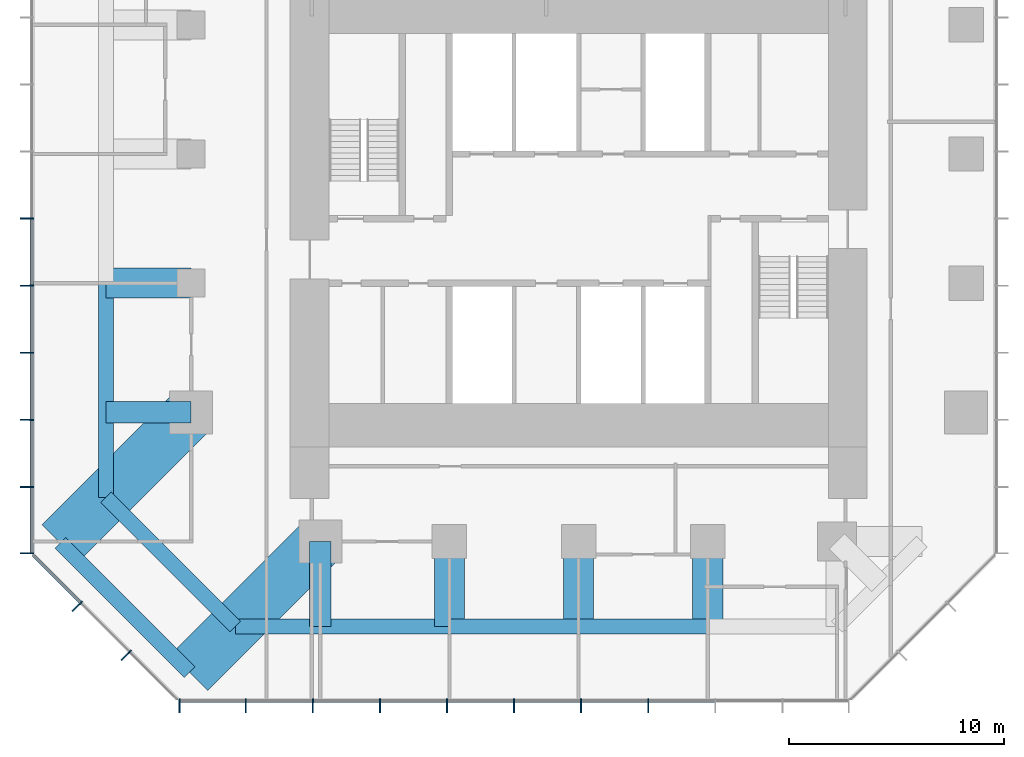
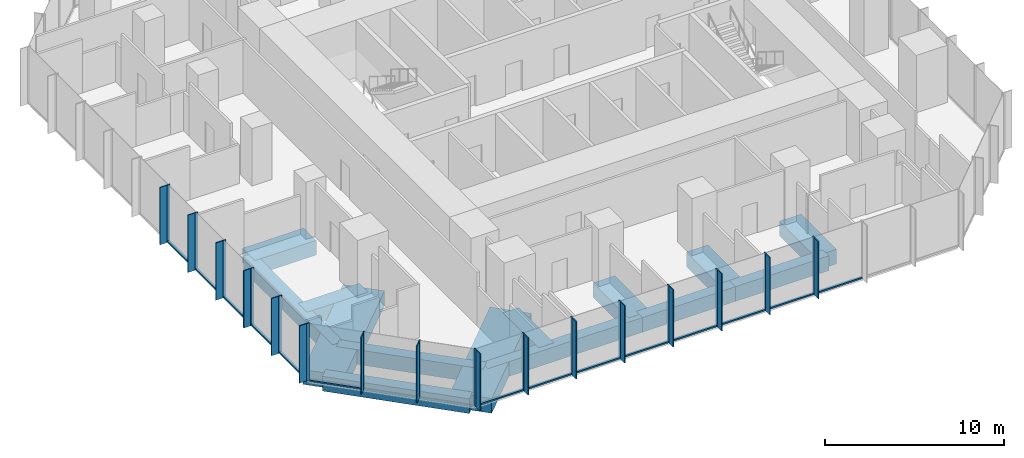
# One storey, part 2 of 12: 46 members, 14 beams, 3 elements without a shape of their own.
"""IFC4 building model written with IfcOpenShell, lengths in metres."""

from ifc_helpers import new_model, si_unit, direction, frame, origin, origin_2d, place, context, subcontext, project, spatial, rectangle, extrude, material, layer, layer_set, material_profile, profile_set, type_object, element, aggregate, save


model = new_model("IFC4")

# Units and contexts
model_context = context("Model", 3, precision=1e-05, world=origin(), true_north=direction((0.0, 1.0)))
body_context = subcontext(model_context, "Body", "Model", "MODEL_VIEW")
ifc_project = project(units=[si_unit("LENGTHUNIT", "METRE"), si_unit("AREAUNIT", "SQUARE_METRE"), si_unit("VOLUMEUNIT", "CUBIC_METRE"), si_unit("PLANEANGLEUNIT", "RADIAN"), si_unit("MASSUNIT", "GRAM", prefix="KILO")], contexts=[model_context])

# Site, building, storey
site_placement = place(None, origin())
site = spatial("IfcSite", under=ifc_project, at=site_placement, CompositionType="ELEMENT")
building_placement = place(site_placement, origin())
building = spatial("IfcBuilding", under=site, at=building_placement, Name="Highveld Stack Headquarters", CompositionType="ELEMENT")
storey_placement = place(building_placement, frame((0.0, 0.0, 231.800048828125)))
storey = spatial("IfcBuildingStorey", under=building, at=storey_placement, Name="L57", CompositionType="ELEMENT", Elevation=231.800048828125)

# Beams
ifc_material_1 = material(Name="Concrete C60/75", Category="concrete")
ifc_material_profile_1 = material_profile(ifc_material_1, rectangle(XDim=1.0, YDim=1.0, at=origin_2d()), Name="RC 1000x1000")
ifc_profile_set_1 = profile_set([ifc_material_profile_1], Name="Concrete C60/75")
beam_type_1 = type_object("IfcBeamType", Name="CANTILEVER RIB RC 1000x1000", PredefinedType="USERDEFINED", material=ifc_profile_set_1)
for number, where, z_axis, x_axis, name in (
    (1, (-12.0, -6.0, -0.75), (-1.0, 0.0, 0.0), (0.0, -1.0, 0.0), "Cantilever rib 4/D L57"),
    (2, (-6.0, -12.0, -0.75), (0.0, -1.0, 0.0), (1.0, 0.0, 0.0), "Cantilever rib 5/C L57"),
):
    element("IfcBeam", number, at=place(storey_placement, frame(where, z_axis=z_axis, x_axis=x_axis)), inside=storey, type_object=beam_type_1, Name=name, ObjectType="CANTILEVER RIB", PredefinedType="USERDEFINED", context=body_context, shape_type="SweptSolid", body=[
        extrude(rectangle(XDim=1.0, YDim=1.0, at=origin_2d()), origin(), (0.0, 0.0, 1.0), 3.949951171875),
    ])
ifc_material_2 = material(Name="Concrete C60/75", Category="concrete")
ifc_material_profile_2 = material_profile(ifc_material_2, rectangle(XDim=1.39990234375, YDim=1.0, at=origin_2d()), Name="RC 1400x1000")
ifc_profile_set_2 = profile_set([ifc_material_profile_2], Name="Concrete C60/75")
beam_type_2 = type_object("IfcBeamType", Name="CANTILEVER RIB RC 1400x1000", PredefinedType="USERDEFINED", material=ifc_profile_set_2)
for number, where, z_axis, x_axis, name in (
    (3, (-12.0, 0.0, -0.75), (-1.0, 0.0, 0.0), (0.0, -1.0, 0.0), "Cantilever rib 4/E L57"),
    (4, (0.0, -12.0, -0.75), (0.0, -1.0, 0.0), (1.0, 0.0, 0.0), "Cantilever rib 6/C L57"),
    (5, (6.0, -12.0, -0.75), (0.0, -1.0, 0.0), (1.0, 0.0, 0.0), "Cantilever rib 7/C L57"),
    (6, (12.0, -12.0, -0.75), (0.0, -1.0, 0.0), (1.0, 0.0, 0.0), "Cantilever rib 8/C L57"),
):
    element("IfcBeam", number, at=place(storey_placement, frame(where, z_axis=z_axis, x_axis=x_axis)), inside=storey, type_object=beam_type_2, Name=name, ObjectType="CANTILEVER RIB", PredefinedType="USERDEFINED", context=body_context, shape_type="SweptSolid", body=[
        extrude(rectangle(XDim=1.39990234375, YDim=1.0, at=origin_2d()), origin(), (0.0, 0.0, 1.0), 3.949951171875),
    ])
ifc_material_3 = material(Name="Concrete C60/75", Category="concrete")
ifc_material_profile_3 = material_profile(ifc_material_3, rectangle(XDim=2.39990234375, YDim=1.0, at=origin_2d()), Name="RC 2400x1000")
ifc_profile_set_3 = profile_set([ifc_material_profile_3], Name="Concrete C60/75")
beam_type_3 = type_object("IfcBeamType", Name="CANTILEVER RIB RC 2400x1000", PredefinedType="USERDEFINED", material=ifc_profile_set_3)
for number, where, z_axis, x_axis, name in (
    (7, (-12.0, -6.0, -0.75), (-0.707106781187, -0.707106781187, 0.0), (0.707106781187, -0.707106781187, 0.0), "Cantilever rib 4/D L57"),
    (8, (-6.0, -12.0, -0.75), (-0.707106781187, -0.707106781187, 0.0), (0.707106781187, -0.707106781187, 0.0), "Cantilever rib 5/C L57"),
):
    element("IfcBeam", number, at=place(storey_placement, frame(where, z_axis=z_axis, x_axis=x_axis)), inside=storey, type_object=beam_type_3, Name=name, ObjectType="CANTILEVER RIB", PredefinedType="USERDEFINED", context=body_context, shape_type="SweptSolid", body=[
        extrude(rectangle(XDim=2.39990234375, YDim=1.0, at=origin_2d()), origin(), (0.0, 0.0, 1.0), 8.585693359375),
    ])

# Curtain wall, members
ifc_material_4 = material(Name="Aluminium bronze anodised", Category="aluminium")
ifc_layer_1 = layer(ifc_material_4, 0.199951171875)
ifc_layer_set_1 = layer_set([ifc_layer_1], Name="Aluminium bronze anodised")
curtain_wall_type_1 = type_object("IfcCurtainWallType", Name="CW1 TOWER UNITISED CURTAIN WALL", PredefinedType="NOTDEFINED", material=ifc_layer_set_1)
curtain_wall_1_placement = place(storey_placement, origin())
curtain_wall_1 = element("IfcCurtainWall", 9, at=curtain_wall_1_placement, inside=storey, type_object=curtain_wall_type_1, Name="Curtain wall CW1 L57 S", PredefinedType="NOTDEFINED")
ifc_material_5 = material(Name="Aluminium bronze anodised", Category="aluminium")
ifc_material_profile_4 = material_profile(ifc_material_5, rectangle(XDim=0.449951171875, YDim=0.06005859375, at=origin_2d()), Name="FIN 450x60")
ifc_profile_set_4 = profile_set([ifc_material_profile_4], Name="Aluminium bronze anodised")
member_type_1 = type_object("IfcMemberType", Name="CW1 BRONZE FIN 450x60", PredefinedType="USERDEFINED", material=ifc_profile_set_4)
member_1_placement = place(storey_placement, frame((-12.54736328125, -19.72509765625, 0.0), z_axis=(0.0, 0.0, 1.0), x_axis=(0.0, 1.0, 0.0)))
member_1 = element("IfcMember", 10, at=member_1_placement, type_object=member_type_1, Name="CW1 fin L57 1", ObjectType="FIN", PredefinedType="USERDEFINED", context=body_context, shape_type="SweptSolid", body=[
    extrude(rectangle(XDim=0.449951171875, YDim=0.06005859375, at=origin_2d()), origin(), (0.0, 0.0, 1.0), 3.89990234375),
])
member_2_placement = place(storey_placement, frame((-9.4638671875, -19.72509765625, 0.0), z_axis=(0.0, 0.0, 1.0), x_axis=(0.0, 1.0, 0.0)))
member_2 = element("IfcMember", 11, at=member_2_placement, type_object=member_type_1, Name="CW1 fin L57 2", ObjectType="FIN", PredefinedType="USERDEFINED", context=body_context, shape_type="SweptSolid", body=[
    extrude(rectangle(XDim=0.449951171875, YDim=0.06005859375, at=origin_2d()), origin(), (0.0, 0.0, 1.0), 3.89990234375),
])
member_3_placement = place(storey_placement, frame((-6.347900390625, -19.72509765625, 0.0), z_axis=(0.0, 0.0, 1.0), x_axis=(0.0, 1.0, 0.0)))
member_3 = element("IfcMember", 12, at=member_3_placement, type_object=member_type_1, Name="CW1 fin L57 3", ObjectType="FIN", PredefinedType="USERDEFINED", context=body_context, shape_type="SweptSolid", body=[
    extrude(rectangle(XDim=0.449951171875, YDim=0.06005859375, at=origin_2d()), origin(), (0.0, 0.0, 1.0), 3.89990234375),
])
member_4_placement = place(storey_placement, frame((-3.23193359375, -19.72509765625, 0.0), z_axis=(0.0, 0.0, 1.0), x_axis=(0.0, 1.0, 0.0)))
member_4 = element("IfcMember", 13, at=member_4_placement, type_object=member_type_1, Name="CW1 fin L57 4", ObjectType="FIN", PredefinedType="USERDEFINED", context=body_context, shape_type="SweptSolid", body=[
    extrude(rectangle(XDim=0.449951171875, YDim=0.06005859375, at=origin_2d()), origin(), (0.0, 0.0, 1.0), 3.89990234375),
])
member_5_placement = place(storey_placement, frame((-0.115966796875, -19.72509765625, 0.0), z_axis=(0.0, 0.0, 1.0), x_axis=(0.0, 1.0, 0.0)))
member_5 = element("IfcMember", 14, at=member_5_placement, type_object=member_type_1, Name="CW1 fin L57 5", ObjectType="FIN", PredefinedType="USERDEFINED", context=body_context, shape_type="SweptSolid", body=[
    extrude(rectangle(XDim=0.449951171875, YDim=0.06005859375, at=origin_2d()), origin(), (0.0, 0.0, 1.0), 3.89990234375),
])
member_6_placement = place(storey_placement, frame((3.0, -19.72509765625, 0.0), z_axis=(0.0, 0.0, 1.0), x_axis=(0.0, 1.0, 0.0)))
member_6 = element("IfcMember", 15, at=member_6_placement, type_object=member_type_1, Name="CW1 fin L57 6", ObjectType="FIN", PredefinedType="USERDEFINED", context=body_context, shape_type="SweptSolid", body=[
    extrude(rectangle(XDim=0.449951171875, YDim=0.06005859375, at=origin_2d()), origin(), (0.0, 0.0, 1.0), 3.89990234375),
])
member_7_placement = place(storey_placement, frame((6.115966796875, -19.72509765625, 0.0), z_axis=(0.0, 0.0, 1.0), x_axis=(0.0, 1.0, 0.0)))
member_7 = element("IfcMember", 16, at=member_7_placement, type_object=member_type_1, Name="CW1 fin L57 7", ObjectType="FIN", PredefinedType="USERDEFINED", context=body_context, shape_type="SweptSolid", body=[
    extrude(rectangle(XDim=0.449951171875, YDim=0.06005859375, at=origin_2d()), origin(), (0.0, 0.0, 1.0), 3.89990234375),
])
member_8_placement = place(storey_placement, frame((9.23193359375, -19.72509765625, 0.0), z_axis=(0.0, 0.0, 1.0), x_axis=(0.0, 1.0, 0.0)))
member_8 = element("IfcMember", 17, at=member_8_placement, type_object=member_type_1, Name="CW1 fin L57 8", ObjectType="FIN", PredefinedType="USERDEFINED", context=body_context, shape_type="SweptSolid", body=[
    extrude(rectangle(XDim=0.449951171875, YDim=0.06005859375, at=origin_2d()), origin(), (0.0, 0.0, 1.0), 3.89990234375),
])

curtain_wall_2_placement = place(storey_placement, origin())
curtain_wall_2 = element("IfcCurtainWall", 18, at=curtain_wall_2_placement, inside=storey, type_object=curtain_wall_type_1, Name="Curtain wall CW1 L57 W", PredefinedType="NOTDEFINED")
member_9_placement = place(storey_placement, frame((-19.72509765625, 3.0, 0.0), z_axis=(0.0, 0.0, 1.0), x_axis=(1.0, 0.0, 0.0)))
member_9 = element("IfcMember", 19, at=member_9_placement, type_object=member_type_1, Name="CW1 fin L57 6", ObjectType="FIN", PredefinedType="USERDEFINED", context=body_context, shape_type="SweptSolid", body=[
    extrude(rectangle(XDim=0.449951171875, YDim=0.06005859375, at=origin_2d()), origin(), (0.0, 0.0, 1.0), 3.89990234375),
])
member_10_placement = place(storey_placement, frame((-19.72509765625, -0.115966796875, 0.0), z_axis=(0.0, 0.0, 1.0), x_axis=(1.0, 0.0, 0.0)))
member_10 = element("IfcMember", 20, at=member_10_placement, type_object=member_type_1, Name="CW1 fin L57 7", ObjectType="FIN", PredefinedType="USERDEFINED", context=body_context, shape_type="SweptSolid", body=[
    extrude(rectangle(XDim=0.449951171875, YDim=0.06005859375, at=origin_2d()), origin(), (0.0, 0.0, 1.0), 3.89990234375),
])
member_11_placement = place(storey_placement, frame((-19.72509765625, -3.23193359375, 0.0), z_axis=(0.0, 0.0, 1.0), x_axis=(1.0, 0.0, 0.0)))
member_11 = element("IfcMember", 21, at=member_11_placement, type_object=member_type_1, Name="CW1 fin L57 8", ObjectType="FIN", PredefinedType="USERDEFINED", context=body_context, shape_type="SweptSolid", body=[
    extrude(rectangle(XDim=0.449951171875, YDim=0.06005859375, at=origin_2d()), origin(), (0.0, 0.0, 1.0), 3.89990234375),
])
member_12_placement = place(storey_placement, frame((-19.72509765625, -6.347900390625, 0.0), z_axis=(0.0, 0.0, 1.0), x_axis=(1.0, 0.0, 0.0)))
member_12 = element("IfcMember", 22, at=member_12_placement, type_object=member_type_1, Name="CW1 fin L57 9", ObjectType="FIN", PredefinedType="USERDEFINED", context=body_context, shape_type="SweptSolid", body=[
    extrude(rectangle(XDim=0.449951171875, YDim=0.06005859375, at=origin_2d()), origin(), (0.0, 0.0, 1.0), 3.89990234375),
])
member_13_placement = place(storey_placement, frame((-19.72509765625, -9.4638671875, 0.0), z_axis=(0.0, 0.0, 1.0), x_axis=(1.0, 0.0, 0.0)))
member_13 = element("IfcMember", 23, at=member_13_placement, type_object=member_type_1, Name="CW1 fin L57 10", ObjectType="FIN", PredefinedType="USERDEFINED", context=body_context, shape_type="SweptSolid", body=[
    extrude(rectangle(XDim=0.449951171875, YDim=0.06005859375, at=origin_2d()), origin(), (0.0, 0.0, 1.0), 3.89990234375),
])
member_14_placement = place(storey_placement, frame((-19.72509765625, -12.54736328125, 0.0), z_axis=(0.0, 0.0, 1.0), x_axis=(1.0, 0.0, 0.0)))
member_14 = element("IfcMember", 24, at=member_14_placement, type_object=member_type_1, Name="CW1 fin L57 11", ObjectType="FIN", PredefinedType="USERDEFINED", context=body_context, shape_type="SweptSolid", body=[
    extrude(rectangle(XDim=0.449951171875, YDim=0.06005859375, at=origin_2d()), origin(), (0.0, 0.0, 1.0), 3.89990234375),
])

# Member
ifc_material_6 = material(Name="Aluminium bronze anodised", Category="aluminium")
ifc_material_profile_5 = material_profile(ifc_material_6, rectangle(XDim=0.199951171875, YDim=0.06494140625, at=origin_2d()), Name="CW1 MULLION 65x200")
ifc_profile_set_5 = profile_set([ifc_material_profile_5], Name="Aluminium bronze anodised")
member_type_2 = type_object("IfcMemberType", Name="CW1 MULLION 65x200", PredefinedType="MULLION", material=ifc_profile_set_5)
member_15_placement = place(storey_placement, frame((-12.54736328125, -19.39990234375, 0.0), z_axis=(0.0, 0.0, 1.0), x_axis=(0.0, 1.0, 0.0)))
member_15 = element("IfcMember", 25, at=member_15_placement, type_object=member_type_2, Name="CW1 mullion L57 1", PredefinedType="MULLION", context=body_context, shape_type="SweptSolid", body=[
    extrude(rectangle(XDim=0.199951171875, YDim=0.06494140625, at=origin_2d()), origin(), (0.0, 0.0, 1.0), 3.89990234375),
])

member_16_placement = place(storey_placement, frame((-9.4638671875, -19.39990234375, 0.0), z_axis=(0.0, 0.0, 1.0), x_axis=(0.0, 1.0, 0.0)))
member_16 = element("IfcMember", 26, at=member_16_placement, type_object=member_type_2, Name="CW1 mullion L57 2", PredefinedType="MULLION", context=body_context, shape_type="SweptSolid", body=[
    extrude(rectangle(XDim=0.199951171875, YDim=0.06494140625, at=origin_2d()), origin(), (0.0, 0.0, 1.0), 3.89990234375),
])

member_17_placement = place(storey_placement, frame((-6.347900390625, -19.39990234375, 0.0), z_axis=(0.0, 0.0, 1.0), x_axis=(0.0, 1.0, 0.0)))
member_17 = element("IfcMember", 27, at=member_17_placement, type_object=member_type_2, Name="CW1 mullion L57 3", PredefinedType="MULLION", context=body_context, shape_type="SweptSolid", body=[
    extrude(rectangle(XDim=0.199951171875, YDim=0.06494140625, at=origin_2d()), origin(), (0.0, 0.0, 1.0), 3.89990234375),
])

member_18_placement = place(storey_placement, frame((-3.23193359375, -19.39990234375, 0.0), z_axis=(0.0, 0.0, 1.0), x_axis=(0.0, 1.0, 0.0)))
member_18 = element("IfcMember", 28, at=member_18_placement, type_object=member_type_2, Name="CW1 mullion L57 4", PredefinedType="MULLION", context=body_context, shape_type="SweptSolid", body=[
    extrude(rectangle(XDim=0.199951171875, YDim=0.06494140625, at=origin_2d()), origin(), (0.0, 0.0, 1.0), 3.89990234375),
])

member_19_placement = place(storey_placement, frame((-0.115966796875, -19.39990234375, 0.0), z_axis=(0.0, 0.0, 1.0), x_axis=(0.0, 1.0, 0.0)))
member_19 = element("IfcMember", 29, at=member_19_placement, type_object=member_type_2, Name="CW1 mullion L57 5", PredefinedType="MULLION", context=body_context, shape_type="SweptSolid", body=[
    extrude(rectangle(XDim=0.199951171875, YDim=0.06494140625, at=origin_2d()), origin(), (0.0, 0.0, 1.0), 3.89990234375),
])

member_20_placement = place(storey_placement, frame((3.0, -19.39990234375, 0.0), z_axis=(0.0, 0.0, 1.0), x_axis=(0.0, 1.0, 0.0)))
member_20 = element("IfcMember", 30, at=member_20_placement, type_object=member_type_2, Name="CW1 mullion L57 6", PredefinedType="MULLION", context=body_context, shape_type="SweptSolid", body=[
    extrude(rectangle(XDim=0.199951171875, YDim=0.06494140625, at=origin_2d()), origin(), (0.0, 0.0, 1.0), 3.89990234375),
])

member_21_placement = place(storey_placement, frame((6.115966796875, -19.39990234375, 0.0), z_axis=(0.0, 0.0, 1.0), x_axis=(0.0, 1.0, 0.0)))
member_21 = element("IfcMember", 31, at=member_21_placement, type_object=member_type_2, Name="CW1 mullion L57 7", PredefinedType="MULLION", context=body_context, shape_type="SweptSolid", body=[
    extrude(rectangle(XDim=0.199951171875, YDim=0.06494140625, at=origin_2d()), origin(), (0.0, 0.0, 1.0), 3.89990234375),
])

member_22_placement = place(storey_placement, frame((9.23193359375, -19.39990234375, 0.0), z_axis=(0.0, 0.0, 1.0), x_axis=(0.0, 1.0, 0.0)))
member_22 = element("IfcMember", 32, at=member_22_placement, type_object=member_type_2, Name="CW1 mullion L57 8", PredefinedType="MULLION", context=body_context, shape_type="SweptSolid", body=[
    extrude(rectangle(XDim=0.199951171875, YDim=0.06494140625, at=origin_2d()), origin(), (0.0, 0.0, 1.0), 3.89990234375),
])

member_23_placement = place(storey_placement, frame((-19.39990234375, 3.0, 0.0), z_axis=(0.0, 0.0, 1.0), x_axis=(1.0, 0.0, 0.0)))
member_23 = element("IfcMember", 33, at=member_23_placement, type_object=member_type_2, Name="CW1 mullion L57 6", PredefinedType="MULLION", context=body_context, shape_type="SweptSolid", body=[
    extrude(rectangle(XDim=0.199951171875, YDim=0.06494140625, at=origin_2d()), origin(), (0.0, 0.0, 1.0), 3.89990234375),
])

member_24_placement = place(storey_placement, frame((-19.39990234375, -0.115966796875, 0.0), z_axis=(0.0, 0.0, 1.0), x_axis=(1.0, 0.0, 0.0)))
member_24 = element("IfcMember", 34, at=member_24_placement, type_object=member_type_2, Name="CW1 mullion L57 7", PredefinedType="MULLION", context=body_context, shape_type="SweptSolid", body=[
    extrude(rectangle(XDim=0.199951171875, YDim=0.06494140625, at=origin_2d()), origin(), (0.0, 0.0, 1.0), 3.89990234375),
])

member_25_placement = place(storey_placement, frame((-19.39990234375, -3.23193359375, 0.0), z_axis=(0.0, 0.0, 1.0), x_axis=(1.0, 0.0, 0.0)))
member_25 = element("IfcMember", 35, at=member_25_placement, type_object=member_type_2, Name="CW1 mullion L57 8", PredefinedType="MULLION", context=body_context, shape_type="SweptSolid", body=[
    extrude(rectangle(XDim=0.199951171875, YDim=0.06494140625, at=origin_2d()), origin(), (0.0, 0.0, 1.0), 3.89990234375),
])

member_26_placement = place(storey_placement, frame((-19.39990234375, -6.347900390625, 0.0), z_axis=(0.0, 0.0, 1.0), x_axis=(1.0, 0.0, 0.0)))
member_26 = element("IfcMember", 36, at=member_26_placement, type_object=member_type_2, Name="CW1 mullion L57 9", PredefinedType="MULLION", context=body_context, shape_type="SweptSolid", body=[
    extrude(rectangle(XDim=0.199951171875, YDim=0.06494140625, at=origin_2d()), origin(), (0.0, 0.0, 1.0), 3.89990234375),
])

member_27_placement = place(storey_placement, frame((-19.39990234375, -9.4638671875, 0.0), z_axis=(0.0, 0.0, 1.0), x_axis=(1.0, 0.0, 0.0)))
member_27 = element("IfcMember", 37, at=member_27_placement, type_object=member_type_2, Name="CW1 mullion L57 10", PredefinedType="MULLION", context=body_context, shape_type="SweptSolid", body=[
    extrude(rectangle(XDim=0.199951171875, YDim=0.06494140625, at=origin_2d()), origin(), (0.0, 0.0, 1.0), 3.89990234375),
])

member_28_placement = place(storey_placement, frame((-19.39990234375, -12.54736328125, 0.0), z_axis=(0.0, 0.0, 1.0), x_axis=(1.0, 0.0, 0.0)))
member_28 = element("IfcMember", 38, at=member_28_placement, type_object=member_type_2, Name="CW1 mullion L57 11", PredefinedType="MULLION", context=body_context, shape_type="SweptSolid", body=[
    extrude(rectangle(XDim=0.199951171875, YDim=0.06494140625, at=origin_2d()), origin(), (0.0, 0.0, 1.0), 3.89990234375),
])

ifc_material_7 = material(Name="Aluminium bronze anodised", Category="aluminium")
ifc_material_profile_6 = material_profile(ifc_material_7, rectangle(XDim=0.14990234375, YDim=0.10009765625, at=origin_2d()), Name="CW1 TRANSOM 150x100")
ifc_profile_set_6 = profile_set([ifc_material_profile_6], Name="Aluminium bronze anodised")
member_type_3 = type_object("IfcMemberType", Name="CW1 STACK TRANSOM 150x100", PredefinedType="USERDEFINED", material=ifc_profile_set_6)
member_29_placement = place(storey_placement, frame((-12.514892578125, -19.39990234375, 0.050048828125), z_axis=(1.0, 0.0, 0.0), x_axis=(0.0, 1.0, 0.0)))
member_29 = element("IfcMember", 39, at=member_29_placement, type_object=member_type_3, Name="CW1 transom L57 1.1", ObjectType="TRANSOM", PredefinedType="USERDEFINED", context=body_context, shape_type="SweptSolid", body=[
    extrude(rectangle(XDim=0.14990234375, YDim=0.10009765625, at=origin_2d()), origin(), (0.0, 0.0, 1.0), 3.0185546875),
])

member_30_placement = place(storey_placement, frame((-9.431396484375, -19.39990234375, 0.050048828125), z_axis=(1.0, 0.0, 0.0), x_axis=(0.0, 1.0, 0.0)))
member_30 = element("IfcMember", 40, at=member_30_placement, type_object=member_type_3, Name="CW1 transom L57 2.1", ObjectType="TRANSOM", PredefinedType="USERDEFINED", context=body_context, shape_type="SweptSolid", body=[
    extrude(rectangle(XDim=0.14990234375, YDim=0.10009765625, at=origin_2d()), origin(), (0.0, 0.0, 1.0), 3.051025390625),
])

member_31_placement = place(storey_placement, frame((-6.3154296875, -19.39990234375, 0.050048828125), z_axis=(1.0, 0.0, 0.0), x_axis=(0.0, 1.0, 0.0)))
member_31 = element("IfcMember", 41, at=member_31_placement, type_object=member_type_3, Name="CW1 transom L57 3.1", ObjectType="TRANSOM", PredefinedType="USERDEFINED", context=body_context, shape_type="SweptSolid", body=[
    extrude(rectangle(XDim=0.14990234375, YDim=0.10009765625, at=origin_2d()), origin(), (0.0, 0.0, 1.0), 3.051025390625),
])

member_32_placement = place(storey_placement, frame((-3.199462890625, -19.39990234375, 0.050048828125), z_axis=(1.0, 0.0, 0.0), x_axis=(0.0, 1.0, 0.0)))
member_32 = element("IfcMember", 42, at=member_32_placement, type_object=member_type_3, Name="CW1 transom L57 4.1", ObjectType="TRANSOM", PredefinedType="USERDEFINED", context=body_context, shape_type="SweptSolid", body=[
    extrude(rectangle(XDim=0.14990234375, YDim=0.10009765625, at=origin_2d()), origin(), (0.0, 0.0, 1.0), 3.051025390625),
])

member_33_placement = place(storey_placement, frame((-0.08349609375, -19.39990234375, 0.050048828125), z_axis=(1.0, 0.0, 0.0), x_axis=(0.0, 1.0, 0.0)))
member_33 = element("IfcMember", 43, at=member_33_placement, type_object=member_type_3, Name="CW1 transom L57 5.1", ObjectType="TRANSOM", PredefinedType="USERDEFINED", context=body_context, shape_type="SweptSolid", body=[
    extrude(rectangle(XDim=0.14990234375, YDim=0.10009765625, at=origin_2d()), origin(), (0.0, 0.0, 1.0), 3.051025390625),
])

member_34_placement = place(storey_placement, frame((3.032470703125, -19.39990234375, 0.050048828125), z_axis=(1.0, 0.0, 0.0), x_axis=(0.0, 1.0, 0.0)))
member_34 = element("IfcMember", 44, at=member_34_placement, type_object=member_type_3, Name="CW1 transom L57 6.1", ObjectType="TRANSOM", PredefinedType="USERDEFINED", context=body_context, shape_type="SweptSolid", body=[
    extrude(rectangle(XDim=0.14990234375, YDim=0.10009765625, at=origin_2d()), origin(), (0.0, 0.0, 1.0), 3.051025390625),
])

member_35_placement = place(storey_placement, frame((6.1484375, -19.39990234375, 0.050048828125), z_axis=(1.0, 0.0, 0.0), x_axis=(0.0, 1.0, 0.0)))
member_35 = element("IfcMember", 45, at=member_35_placement, type_object=member_type_3, Name="CW1 transom L57 7.1", ObjectType="TRANSOM", PredefinedType="USERDEFINED", context=body_context, shape_type="SweptSolid", body=[
    extrude(rectangle(XDim=0.14990234375, YDim=0.10009765625, at=origin_2d()), origin(), (0.0, 0.0, 1.0), 3.051025390625),
])

member_36_placement = place(storey_placement, frame((9.264404296875, -19.39990234375, 0.050048828125), z_axis=(1.0, 0.0, 0.0), x_axis=(0.0, 1.0, 0.0)))
member_36 = element("IfcMember", 46, at=member_36_placement, type_object=member_type_3, Name="CW1 transom L57 8.1", ObjectType="TRANSOM", PredefinedType="USERDEFINED", context=body_context, shape_type="SweptSolid", body=[
    extrude(rectangle(XDim=0.14990234375, YDim=0.10009765625, at=origin_2d()), origin(), (0.0, 0.0, 1.0), 3.051025390625),
])

aggregate(curtain_wall_1, [member_15, member_1, member_16, member_2, member_17, member_3, member_18, member_4, member_19, member_5, member_20, member_6, member_21, member_7, member_22, member_8, member_29, member_30, member_31, member_32, member_33, member_34, member_35, member_36])

member_37_placement = place(storey_placement, frame((-19.39990234375, 2.967529296875, 0.050048828125), z_axis=(0.0, -1.0, 0.0), x_axis=(1.0, 0.0, 0.0)))
member_37 = element("IfcMember", 47, at=member_37_placement, type_object=member_type_3, Name="CW1 transom L57 6.1", ObjectType="TRANSOM", PredefinedType="USERDEFINED", context=body_context, shape_type="SweptSolid", body=[
    extrude(rectangle(XDim=0.14990234375, YDim=0.10009765625, at=origin_2d()), origin(), (0.0, 0.0, 1.0), 3.051025390625),
])

member_38_placement = place(storey_placement, frame((-19.39990234375, -0.1484375, 0.050048828125), z_axis=(0.0, -1.0, 0.0), x_axis=(1.0, 0.0, 0.0)))
member_38 = element("IfcMember", 48, at=member_38_placement, type_object=member_type_3, Name="CW1 transom L57 7.1", ObjectType="TRANSOM", PredefinedType="USERDEFINED", context=body_context, shape_type="SweptSolid", body=[
    extrude(rectangle(XDim=0.14990234375, YDim=0.10009765625, at=origin_2d()), origin(), (0.0, 0.0, 1.0), 3.051025390625),
])

member_39_placement = place(storey_placement, frame((-19.39990234375, -3.264404296875, 0.050048828125), z_axis=(0.0, -1.0, 0.0), x_axis=(1.0, 0.0, 0.0)))
member_39 = element("IfcMember", 49, at=member_39_placement, type_object=member_type_3, Name="CW1 transom L57 8.1", ObjectType="TRANSOM", PredefinedType="USERDEFINED", context=body_context, shape_type="SweptSolid", body=[
    extrude(rectangle(XDim=0.14990234375, YDim=0.10009765625, at=origin_2d()), origin(), (0.0, 0.0, 1.0), 3.051025390625),
])

member_40_placement = place(storey_placement, frame((-19.39990234375, -6.38037109375, 0.050048828125), z_axis=(0.0, -1.0, 0.0), x_axis=(1.0, 0.0, 0.0)))
member_40 = element("IfcMember", 50, at=member_40_placement, type_object=member_type_3, Name="CW1 transom L57 9.1", ObjectType="TRANSOM", PredefinedType="USERDEFINED", context=body_context, shape_type="SweptSolid", body=[
    extrude(rectangle(XDim=0.14990234375, YDim=0.10009765625, at=origin_2d()), origin(), (0.0, 0.0, 1.0), 3.051025390625),
])

member_41_placement = place(storey_placement, frame((-19.39990234375, -9.496337890625, 0.050048828125), z_axis=(0.0, -1.0, 0.0), x_axis=(1.0, 0.0, 0.0)))
member_41 = element("IfcMember", 51, at=member_41_placement, type_object=member_type_3, Name="CW1 transom L57 10.1", ObjectType="TRANSOM", PredefinedType="USERDEFINED", context=body_context, shape_type="SweptSolid", body=[
    extrude(rectangle(XDim=0.14990234375, YDim=0.10009765625, at=origin_2d()), origin(), (0.0, 0.0, 1.0), 3.0185546875),
])

aggregate(curtain_wall_2, [member_23, member_9, member_24, member_10, member_25, member_11, member_26, member_12, member_27, member_13, member_28, member_14, member_37, member_38, member_39, member_40, member_41])

# Curtain wall, members
ifc_material_8 = material(Name="Aluminium bronze anodised", Category="aluminium")
ifc_layer_2 = layer(ifc_material_8, 0.199951171875)
ifc_layer_set_2 = layer_set([ifc_layer_2], Name="Aluminium bronze anodised")
curtain_wall_type_2 = type_object("IfcCurtainWallType", Name="CW2 TOWER CHAMFER UNITISED CURTAIN WALL", PredefinedType="NOTDEFINED", material=ifc_layer_set_2)
curtain_wall_3_placement = place(storey_placement, origin())
curtain_wall_3 = element("IfcCurtainWall", 52, at=curtain_wall_3_placement, inside=storey, type_object=curtain_wall_type_2, Name="Curtain wall CW2 L57 SW", PredefinedType="NOTDEFINED")
ifc_material_9 = material(Name="Aluminium bronze anodised", Category="aluminium")
ifc_material_profile_7 = material_profile(ifc_material_9, rectangle(XDim=0.449951171875, YDim=0.06005859375, at=origin_2d()), Name="FIN 450x60")
ifc_profile_set_7 = profile_set([ifc_material_profile_7], Name="Aluminium bronze anodised")
member_type_4 = type_object("IfcMemberType", Name="CW2 BRONZE FIN 450x60", PredefinedType="USERDEFINED", material=ifc_profile_set_7)
member_42_placement = place(storey_placement, frame((-17.3564453125, -15.0830078125, 0.0), z_axis=(0.0, 0.0, 1.0), x_axis=(0.707106781187, 0.707106781187, 0.0)))
member_42 = element("IfcMember", 53, at=member_42_placement, type_object=member_type_4, Name="CW2 fin L57 1", ObjectType="FIN", PredefinedType="USERDEFINED", context=body_context, shape_type="SweptSolid", body=[
    extrude(rectangle(XDim=0.449951171875, YDim=0.06005859375, at=origin_2d()), origin(), (0.0, 0.0, 1.0), 3.89990234375),
])
member_43_placement = place(storey_placement, frame((-15.0830078125, -17.3564453125, 0.0), z_axis=(0.0, 0.0, 1.0), x_axis=(0.707106781187, 0.707106781187, 0.0)))
member_43 = element("IfcMember", 54, at=member_43_placement, type_object=member_type_4, Name="CW2 fin L57 2", ObjectType="FIN", PredefinedType="USERDEFINED", context=body_context, shape_type="SweptSolid", body=[
    extrude(rectangle(XDim=0.449951171875, YDim=0.06005859375, at=origin_2d()), origin(), (0.0, 0.0, 1.0), 3.89990234375),
])
ifc_material_10 = material(Name="Aluminium bronze anodised", Category="aluminium")
ifc_material_profile_8 = material_profile(ifc_material_10, rectangle(XDim=0.199951171875, YDim=0.06494140625, at=origin_2d()), Name="CW2 MULLION 65x200")
ifc_profile_set_8 = profile_set([ifc_material_profile_8], Name="Aluminium bronze anodised")
member_type_5 = type_object("IfcMemberType", Name="CW2 MULLION 65x200", PredefinedType="MULLION", material=ifc_profile_set_8)
member_44_placement = place(storey_placement, frame((-17.126708984375, -14.853271484375, 0.0), z_axis=(0.0, 0.0, 1.0), x_axis=(0.707106781187, 0.707106781187, 0.0)))
member_44 = element("IfcMember", 55, at=member_44_placement, type_object=member_type_5, Name="CW2 mullion L57 1", PredefinedType="MULLION", context=body_context, shape_type="SweptSolid", body=[
    extrude(rectangle(XDim=0.199951171875, YDim=0.06494140625, at=origin_2d()), origin(), (0.0, 0.0, 1.0), 3.89990234375),
])
member_45_placement = place(storey_placement, frame((-14.853271484375, -17.126708984375, 0.0), z_axis=(0.0, 0.0, 1.0), x_axis=(0.707106781187, 0.707106781187, 0.0)))
member_45 = element("IfcMember", 56, at=member_45_placement, type_object=member_type_5, Name="CW2 mullion L57 2", PredefinedType="MULLION", context=body_context, shape_type="SweptSolid", body=[
    extrude(rectangle(XDim=0.199951171875, YDim=0.06494140625, at=origin_2d()), origin(), (0.0, 0.0, 1.0), 3.89990234375),
])
ifc_material_11 = material(Name="Aluminium bronze anodised", Category="aluminium")
ifc_material_profile_9 = material_profile(ifc_material_11, rectangle(XDim=0.14990234375, YDim=0.10009765625, at=origin_2d()), Name="CW2 TRANSOM 150x100")
ifc_profile_set_9 = profile_set([ifc_material_profile_9], Name="Aluminium bronze anodised")
member_type_6 = type_object("IfcMemberType", Name="CW2 STACK TRANSOM 150x100", PredefinedType="USERDEFINED", material=ifc_profile_set_9)
member_46_placement = place(storey_placement, frame((-19.329345703125, -12.650634765625, 0.050048828125), z_axis=(0.707106781187, -0.707106781187, 0.0), x_axis=(0.707106781187, 0.707106781187, 0.0)))
member_46 = element("IfcMember", 57, at=member_46_placement, type_object=member_type_6, Name="CW2 transom L57 1.1", ObjectType="TRANSOM", PredefinedType="USERDEFINED", context=body_context, shape_type="SweptSolid", body=[
    extrude(rectangle(XDim=0.14990234375, YDim=0.10009765625, at=origin_2d()), origin(), (0.0, 0.0, 1.0), 3.08251953125),
])
aggregate(curtain_wall_3, [member_44, member_42, member_45, member_43, member_46])

# Beams
ifc_material_12 = material(Name="Concrete C60/75", Category="concrete")
ifc_material_profile_10 = material_profile(ifc_material_12, rectangle(XDim=0.699951171875, YDim=1.0, at=origin_2d()), Name="RC 700x1000")
ifc_profile_set_10 = profile_set([ifc_material_profile_10], Name="Concrete C60/75")
beam_type_4 = type_object("IfcBeamType", Name="RIB TIP BEAM RC 700x1000", PredefinedType="SPANDREL", material=ifc_profile_set_10)
for number, where, z_axis, x_axis, name in (
    (58, (-15.949951171875, -9.949951171875, -0.75), (0.0, 1.0, 0.0), (-1.0, 0.0, 0.0), "Rib tip beam 4/D to 4/E L57"),
    (59, (-9.949951171875, -15.949951171875, -0.75), (1.0, 0.0, 0.0), (0.0, 1.0, 0.0), "Rib tip beam 5/C to 6/C L57"),
):
    element("IfcBeam", number, at=place(storey_placement, frame(where, z_axis=z_axis, x_axis=x_axis)), inside=storey, type_object=beam_type_4, Name=name, PredefinedType="SPANDREL", context=body_context, shape_type="SweptSolid", body=[
        extrude(rectangle(XDim=0.699951171875, YDim=1.0, at=origin_2d()), origin(), (0.0, 0.0, 1.0), 9.949951171875),
    ])
for number, where, z_axis, x_axis, name in (
    (60, (0.0, -15.949951171875, -0.75), (1.0, 0.0, 0.0), (0.0, 1.0, 0.0), "Rib tip beam 6/C to 7/C L57"),
    (61, (6.0, -15.949951171875, -0.75), (1.0, 0.0, 0.0), (0.0, 1.0, 0.0), "Rib tip beam 7/C to 8/C L57"),
):
    element("IfcBeam", number, at=place(storey_placement, frame(where, z_axis=z_axis, x_axis=x_axis)), inside=storey, type_object=beam_type_4, Name=name, PredefinedType="SPANDREL", context=body_context, shape_type="SweptSolid", body=[
        extrude(rectangle(XDim=0.699951171875, YDim=1.0, at=origin_2d()), origin(), (0.0, 0.0, 1.0), 6.0),
    ])
for number, where, z_axis, x_axis, name in (
    (62, (-15.949951171875, -9.949951171875, -0.75), (0.707106781187, -0.707106781187, 0.0), (0.707106781187, 0.707106781187, 0.0), "Rib tip beam 4/D to 5/C chamfer L57"),
    (63, (-18.071044921875, -12.071044921875, -0.75), (0.707106781187, -0.707106781187, 0.0), (0.707106781187, 0.707106781187, 0.0), "Rib tip beam 4/D to 5/C chamfer edge L57"),
):
    element("IfcBeam", number, at=place(storey_placement, frame(where, z_axis=z_axis, x_axis=x_axis)), inside=storey, type_object=beam_type_4, Name=name, PredefinedType="SPANDREL", context=body_context, shape_type="SweptSolid", body=[
        extrude(rectangle(XDim=0.699951171875, YDim=1.0, at=origin_2d()), origin(), (0.0, 0.0, 1.0), 8.4853515625),
    ])

save(model, "model.ifc")
